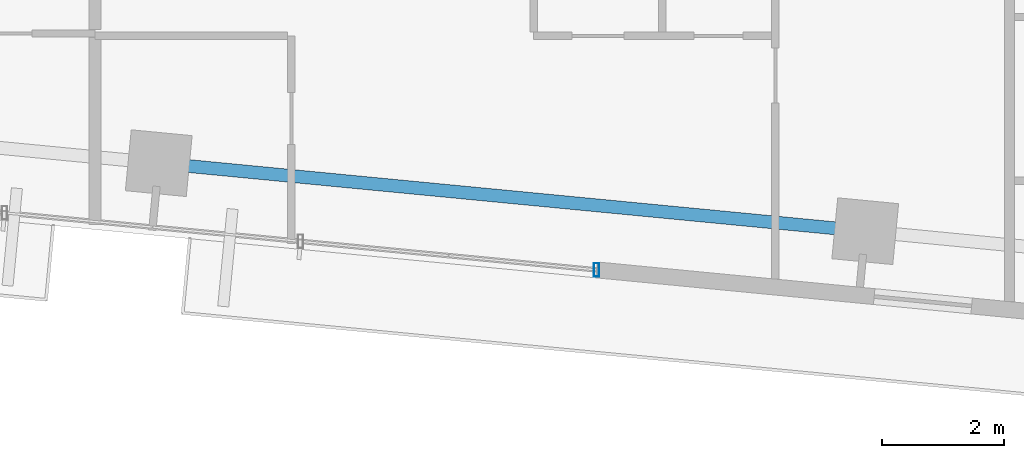
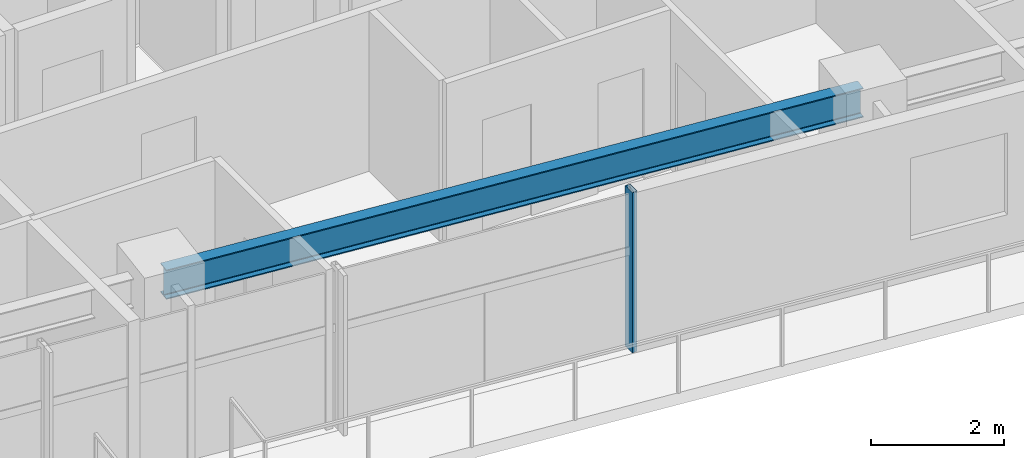
# One storey, part 9 of 20: 1 beam, 1 member, 1 element without a shape of its own.
"""IFC4 building model written with IfcOpenShell, lengths in metres."""

from ifc_helpers import new_model, si_unit, direction, frame, origin, origin_2d, place, context, subcontext, project, spatial, hollow_rectangle, i_section, extrude, source, transform, mapped, material, material_profile, profile_set, type_object, type_shapes, element, aggregate, save


model = new_model("IFC4")

# Units and contexts
model_context = context("Model", 3, precision=1e-05, world=origin(), true_north=direction((0.0, 1.0)))
body_context = subcontext(model_context, "Body", "Model", "MODEL_VIEW")
ifc_project = project(units=[si_unit("LENGTHUNIT", "METRE"), si_unit("AREAUNIT", "SQUARE_METRE"), si_unit("VOLUMEUNIT", "CUBIC_METRE"), si_unit("PLANEANGLEUNIT", "RADIAN"), si_unit("MASSUNIT", "GRAM", prefix="KILO")], contexts=[model_context])

# Site, building, storey
site_placement = place(None, origin())
site = spatial("IfcSite", under=ifc_project, at=site_placement, CompositionType="ELEMENT")
building_placement = place(site_placement, origin())
building = spatial("IfcBuilding", under=site, at=building_placement, Name="Astriad Promenade Condominiums", CompositionType="ELEMENT")
storey_placement = place(building_placement, frame((0.0, 0.0, 127.800048828125)))
storey = spatial("IfcBuildingStorey", under=building, at=storey_placement, Name="L36", CompositionType="ELEMENT", Elevation=127.800048828125)

# Beam
ifc_material_1 = material(Name="Steel ASTM A992 Grade 50", Category="steel")
ifc_material_profile_1 = material_profile(ifc_material_1, i_section(OverallWidth=0.210693359375, OverallDepth=0.53955078125, WebThickness=0.01171875, FlangeThickness=0.018798828125, FilletRadius=0.0166015625, at=origin_2d()), Name="W21X73")
ifc_profile_set_1 = profile_set([ifc_material_profile_1], Name="Steel ASTM A992 Grade 50")
beam_type = type_object("IfcBeamType", Name="STEEL SPANDREL BEAM W21X73", PredefinedType="SPANDREL", material=ifc_profile_set_1)
shared_shape_1 = source(origin(), body_context, "Body", "SweptSolid", [
    extrude(i_section(OverallWidth=0.210693359375, OverallDepth=0.53955078125, WebThickness=0.01171875, FlangeThickness=0.018798828125, FilletRadius=0.0166015625, at=origin_2d()), origin(), (0.0, 0.0, 1.0), 11.52001953125),
])
type_shapes(beam_type, [shared_shape_1])
beam_placement = place(storey_placement, frame((32.013671875, 8.2158203125, 2.670166015625), z_axis=(0.995397412028, -0.095833147335, 0.0), x_axis=(0.095833147335, 0.995397412028, 0.0)))
element("IfcBeam", 1, at=beam_placement, inside=storey, type_object=beam_type, Name="Perimeter Spandrel Beam SP-S3-L36", PredefinedType="SPANDREL", context=body_context, shape_type="MappedRepresentation", body=[
    mapped(shared_shape_1, transform((0.0, 0.0, 0.0), scale=1.0)),
])

# Curtain wall, member
ifc_material_2 = material(Name="Anodised aluminium Black Dark Glass Unitised", Category="aluminium")
curtain_wall_type = type_object("IfcCurtainWallType", Name="CW-B34-DARK", PredefinedType="USERDEFINED", material=ifc_material_2)
curtain_wall_placement = place(storey_placement, origin())
curtain_wall = element("IfcCurtainWall", 2, at=curtain_wall_placement, inside=storey, type_object=curtain_wall_type, Name="CW-L36-S", ObjectType="UNITISED_CURTAIN_WALL", PredefinedType="USERDEFINED")
ifc_material_3 = material(Name="Anodised aluminium 6063-T6 Black", Category="aluminium")
ifc_material_profile_2 = material_profile(ifc_material_3, hollow_rectangle(XDim=0.0849609375, YDim=0.219970703125, WallThickness=0.0048828125, at=origin_2d()), Name="ALU-MUL-85X220")
ifc_profile_set_2 = profile_set([ifc_material_profile_2], Name="Anodised aluminium 6063-T6 Black")
member_type = type_object("IfcMemberType", Name="MUL-ALU-MUL-85X220", PredefinedType="MULLION", material=ifc_profile_set_2)
shared_shape_2 = source(origin(), body_context, "Body", "SweptSolid", [
    extrude(hollow_rectangle(XDim=0.0849609375, YDim=0.219970703125, WallThickness=0.0048828125, at=origin_2d()), origin(), (0.0, 0.0, 1.0), 2.93994140625),
])
type_shapes(member_type, [shared_shape_2])
member_placement = place(storey_placement, frame((39.129638671875, 6.475830078125, 0.0), z_axis=(0.0, 0.0, 1.0), x_axis=(1.0, 0.0, 0.0)))
member = element("IfcMember", 3, at=member_placement, type_object=member_type, Name="CW-L36-S-MUL-00", PredefinedType="MULLION", context=body_context, shape_type="MappedRepresentation", body=[
    mapped(shared_shape_2, transform((0.0, 0.0, 0.0), scale=1.0)),
])
aggregate(curtain_wall, [member])

save(model, "model.ifc")
